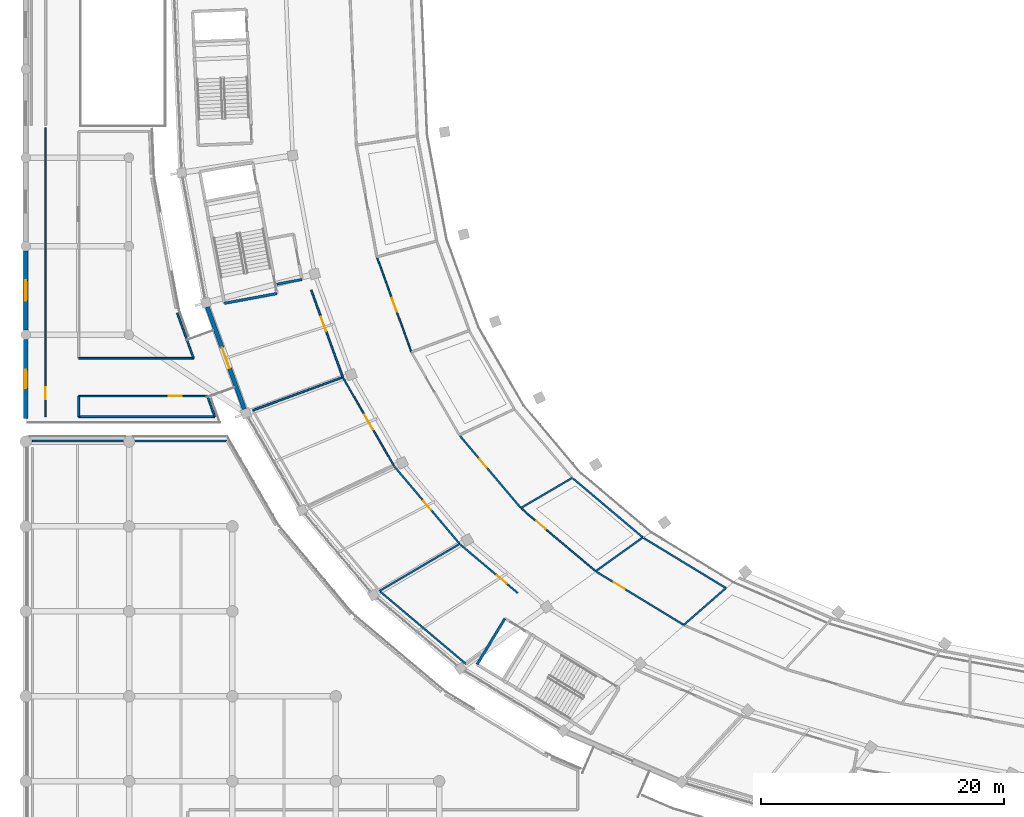
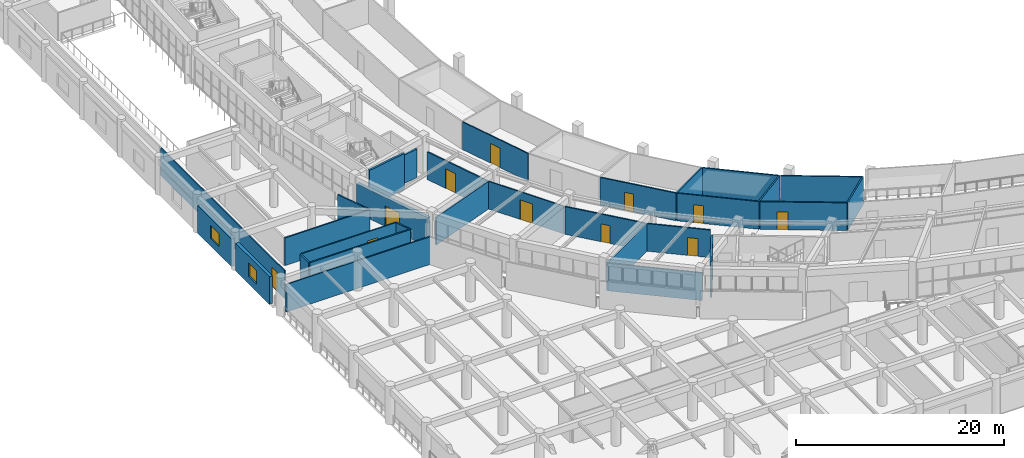
# One storey, part 90 of 141: 30 walls, 11 doors, 2 windows, 13 openings.
"""IFC4 building model written with IfcOpenShell, lengths in metres."""

from ifc_helpers import new_model, si_unit, direction, frame, frame_2d, origin, place, context, subcontext, project, spatial, rectangle, extrude, material, layer, layer_set, type_object, element, fill, save


model = new_model("IFC4")

# Units and contexts
model_context = context("Model", 3, precision=1e-05, world=origin(), true_north=direction((0.0, 1.0)))
body_context = subcontext(model_context, "Body", "Model", "MODEL_VIEW")
ifc_project = project(units=[si_unit("LENGTHUNIT", "METRE"), si_unit("AREAUNIT", "SQUARE_METRE"), si_unit("VOLUMEUNIT", "CUBIC_METRE"), si_unit("PLANEANGLEUNIT", "RADIAN"), si_unit("MASSUNIT", "GRAM", prefix="KILO")], contexts=[model_context])

# Site, building, storey
site_placement = place(None, origin())
site = spatial("IfcSite", under=ifc_project, at=site_placement, CompositionType="ELEMENT")
building_placement = place(site_placement, origin())
building = spatial("IfcBuilding", under=site, at=building_placement, Name="Mphavela Belvedere Stadium", CompositionType="ELEMENT")
storey_placement = place(building_placement, frame((0.0, 0.0, 14.699951171875)))
storey = spatial("IfcBuildingStorey", under=building, at=storey_placement, Name="L03", CompositionType="ELEMENT", Elevation=14.699951171875)

# Walls
ifc_material_1 = material(Name="Concrete C40/50", Category="concrete")
ifc_layer_1 = layer(ifc_material_1, 0.219970703125)
ifc_layer_set_1 = layer_set([ifc_layer_1], Name="Concrete C40/50")
wall_type_1 = type_object("IfcWallType", Name="WAL-CORE-SHEAR-220", PredefinedType="SHEAR", material=ifc_layer_set_1)
for number, where, z_axis, x_axis, name in (
    (1, (20.703857421875, 61.197021484375, 0.0), (0.0, 0.0, 1.0), (-0.983191575486, -0.182576904051, 0.0), "Core C09 shear wall L03 left"),
    (2, (39.497314453125, 34.4033203125, 0.0), (0.0, 0.0, 1.0), (-0.519664162523, -0.854370621095, 0.0), "Core C10 shear wall L03 right"),
):
    element("IfcWall", number, at=place(storey_placement, frame(where, z_axis=z_axis, x_axis=x_axis)), inside=storey, type_object=wall_type_1, Name=name, PredefinedType="SHEAR", context=body_context, shape_type="SweptSolid", body=[
        extrude(rectangle(XDim=4.41015625, YDim=0.219970703125, at=frame_2d((2.205078125, 0.0))), origin(), (0.0, 0.0, 1.0), 4.25),
    ])

# Wall, opening, door
ifc_material_2 = material(Name="Honed ashlar limestone masonry", Category="masonry")
ifc_layer_2 = layer(ifc_material_2, 0.35009765625)
ifc_layer_set_2 = layer_set([ifc_layer_2], Name="Honed ashlar limestone masonry")
wall_type_2 = type_object("IfcWallType", Name="WAL-EXT-ASHLAR-350", PredefinedType="STANDARD", material=ifc_layer_set_2)
wall_1_placement = place(storey_placement, frame((18.0166015625, 51.668212890625, 0.0), z_axis=(0.0, 0.0, 1.0), x_axis=(-0.341014063491, 0.94005819421, 0.0)))
wall_1 = element("IfcWall", 3, at=wall_1_placement, inside=storey, type_object=wall_type_2, Name="Classical link portal wall L03-27", PredefinedType="STANDARD", context=body_context, shape_type="SweptSolid", body=[
    extrude(rectangle(XDim=8.95556640625, YDim=0.35009765625, at=frame_2d((4.477783203125, 0.0))), origin(), (0.0, 0.0, 1.0), 3.420166015625),
])
opening_1_placement = place(wall_1_placement, frame((3.57763671875, 0.0, 0.0)))
opening_1 = element("IfcOpeningElement", 4, at=opening_1_placement, cuts=wall_1, Name="Opening ID-9326", PredefinedType="OPENING", context=body_context, shape_type="SweptSolid", body=[
    extrude(rectangle(XDim=1.800048828125, YDim=2.39990234375, at=frame_2d((0.89990234375, 1.199951171875))), frame((0.0, 0.18505859375, 0.0), z_axis=(0.0, -1.0, 0.0), x_axis=(1.0, 0.0, 0.0)), (0.0, 0.0, 1.0), 0.3701171875),
])
ifc_material_3 = material(Name="Glazed bronze-anodised steel exit doorset", Category="steel")
door_type_1 = type_object("IfcDoorType", Name="DR-EXT-01", OperationType="NOTDEFINED", PredefinedType="DOOR", material=ifc_material_3)
door_1_placement = place(opening_1_placement, origin())
door_1 = element("IfcDoor", 5, at=door_1_placement, inside=storey, type_object=door_type_1, Name="Wing promenade link doorset L03-27", OperationType="DOUBLE_DOOR_SINGLE_SWING", OverallHeight=2.39990234375, OverallWidth=1.800048828125, PredefinedType="DOOR", context=body_context, shape_type="SweptSolid", body=[
    extrude(rectangle(XDim=1.800048828125, YDim=2.39990234375, at=frame_2d((0.89990234375, 1.199951171875))), frame((0.0, 0.02490234375, 0.0), z_axis=(0.0, -1.0, 0.0), x_axis=(1.0, 0.0, 0.0)), (0.0, 0.0, 1.0), 0.050048828125),
])
fill(opening_1, door_1)

# Wall, opening, window
wall_2_placement = place(storey_placement, frame((0.0, 50.89794921875, 0.0), z_axis=(0.0, 0.0, 1.0), x_axis=(0.0, 1.0, 0.0)))
wall_2 = element("IfcWall", 6, at=wall_2_placement, inside=storey, type_object=wall_type_2, Name="West Planted Eaves Peristyle Colonnade outer facade bay L03-01", PredefinedType="STANDARD", context=body_context, shape_type="SweptSolid", body=[
    extrude(rectangle(XDim=6.504150390625, YDim=0.35009765625, at=frame_2d((3.251953125, 0.0))), origin(), (0.0, 0.0, 1.0), 3.260009765625),
])
opening_2_placement = place(wall_2_placement, frame((2.491943359375, 0.0, 0.89990234375)))
opening_2 = element("IfcOpeningElement", 7, at=opening_2_placement, cuts=wall_2, Name="Opening W-268", PredefinedType="OPENING", context=body_context, shape_type="SweptSolid", body=[
    extrude(rectangle(XDim=1.52001953125, YDim=1.550048828125, at=frame_2d((0.760009765625, 0.77490234375))), frame((0.0, 0.18505859375, 0.0), z_axis=(0.0, -1.0, 0.0), x_axis=(1.0, 0.0, 0.0)), (0.0, 0.0, 1.0), 0.3701171875),
])
ifc_material_4 = material(Name="Bronze-anodised thermally broken aluminium window", Category="aluminium")
window_type_1 = type_object("IfcWindowType", Name="WIN-EXT-04", PartitioningType="SINGLE_PANEL", PredefinedType="WINDOW", material=ifc_material_4)
window_1_placement = place(opening_2_placement, origin())
window_1 = element("IfcWindow", 8, at=window_1_placement, inside=storey, type_object=window_type_1, Name="West Planted Eaves Peristyle Colonnade classical window W-268", OverallHeight=1.550048828125, OverallWidth=1.52001953125, PartitioningType="SINGLE_PANEL", PredefinedType="WINDOW", context=body_context, shape_type="SweptSolid", body=[
    extrude(rectangle(XDim=1.52001953125, YDim=1.550048828125, at=frame_2d((0.760009765625, 0.77490234375))), frame((0.0, 0.030029296875, 0.0), z_axis=(0.0, -1.0, 0.0), x_axis=(1.0, 0.0, 0.0)), (0.0, 0.0, 1.0), 0.06005859375),
])
fill(opening_2, window_1)

wall_3_placement = place(storey_placement, frame((0.0, 58.197998046875, 0.0), z_axis=(0.0, 0.0, 1.0), x_axis=(0.0, 1.0, 0.0)))
wall_3 = element("IfcWall", 9, at=wall_3_placement, inside=storey, type_object=wall_type_2, Name="West Planted Eaves Peristyle Colonnade outer facade bay L03-02", PredefinedType="STANDARD", context=body_context, shape_type="SweptSolid", body=[
    extrude(rectangle(XDim=6.50390625, YDim=0.35009765625, at=frame_2d((3.251953125, 0.0))), origin(), (0.0, 0.0, 1.0), 3.260009765625),
])
opening_3_placement = place(wall_3_placement, frame((2.422119140625, 0.0, 0.89990234375)))
opening_3 = element("IfcOpeningElement", 10, at=opening_3_placement, cuts=wall_3, Name="Opening W-269", PredefinedType="OPENING", context=body_context, shape_type="SweptSolid", body=[
    extrude(rectangle(XDim=1.659912109375, YDim=1.550048828125, at=frame_2d((0.830078125, 0.77490234375))), frame((0.0, 0.18505859375, 0.0), z_axis=(0.0, -1.0, 0.0), x_axis=(1.0, 0.0, 0.0)), (0.0, 0.0, 1.0), 0.3701171875),
])
ifc_material_5 = material(Name="Bronze-anodised thermally broken aluminium window", Category="aluminium")
window_type_2 = type_object("IfcWindowType", Name="WIN-EXT-05", PartitioningType="SINGLE_PANEL", PredefinedType="WINDOW", material=ifc_material_5)
window_2_placement = place(opening_3_placement, origin())
window_2 = element("IfcWindow", 11, at=window_2_placement, inside=storey, type_object=window_type_2, Name="West Planted Eaves Peristyle Colonnade classical window W-269", OverallHeight=1.550048828125, OverallWidth=1.659912109375, PartitioningType="SINGLE_PANEL", PredefinedType="WINDOW", context=body_context, shape_type="SweptSolid", body=[
    extrude(rectangle(XDim=1.659912109375, YDim=1.550048828125, at=frame_2d((0.830078125, 0.77490234375))), frame((0.0, 0.030029296875, 0.0), z_axis=(0.0, -1.0, 0.0), x_axis=(1.0, 0.0, 0.0)), (0.0, 0.0, 1.0), 0.06005859375),
])
fill(opening_3, window_2)

# Wall, opening, door
ifc_material_6 = material(Name="Moisture-resistant sanitary partition assembly")
ifc_layer_3 = layer(ifc_material_6, 0.125)
ifc_layer_set_3 = layer_set([ifc_layer_3], Name="Moisture-resistant sanitary partition assembly")
wall_type_3 = type_object("IfcWallType", Name="WAL-PART-125", PredefinedType="PARTITIONING", material=ifc_layer_set_3)
wall_4_placement = place(storey_placement, frame((31.782470703125, 56.384765625, 0.0), z_axis=(0.0, 0.0, 1.0), x_axis=(-0.341044733968, 0.940047067669, 0.0)))
wall_4 = element("IfcWall", 12, at=wall_4_placement, inside=storey, type_object=wall_type_3, Name="Room L03-102 corridor partition", PredefinedType="PARTITIONING", context=body_context, shape_type="SweptSolid", body=[
    extrude(rectangle(XDim=8.25390625, YDim=0.125, at=frame_2d((4.126953125, 0.0))), origin(), (0.0, 0.0, 1.0), 3.25),
])
opening_4_placement = place(wall_4_placement, frame((3.516845703125, 0.0, 0.0)))
opening_4 = element("IfcOpeningElement", 13, at=opening_4_placement, cuts=wall_4, Name="Opening ID-285", PredefinedType="OPENING", context=body_context, shape_type="SweptSolid", body=[
    extrude(rectangle(XDim=1.219970703125, YDim=2.300048828125, at=frame_2d((0.60986328125, 1.14990234375))), frame((0.0, 0.072509765625, 0.0), z_axis=(0.0, -1.0, 0.0), x_axis=(1.0, 0.0, 0.0)), (0.0, 0.0, 1.0), 0.14501953125),
])
ifc_material_7 = material(Name="Hardwood acoustic timber doorset", Category="wood")
door_type_2 = type_object("IfcDoorType", Name="DR-INT-33", OperationType="NOTDEFINED", PredefinedType="DOOR", material=ifc_material_7)
door_2_placement = place(opening_4_placement, origin())
door_2 = element("IfcDoor", 14, at=door_2_placement, inside=storey, type_object=door_type_2, Name="Room L03-102 entrance door ID-285", OperationType="SINGLE_SWING_LEFT", OverallHeight=2.300048828125, OverallWidth=1.219970703125, PredefinedType="DOOR", context=body_context, shape_type="SweptSolid", body=[
    extrude(rectangle(XDim=1.219970703125, YDim=2.300048828125, at=frame_2d((0.60986328125, 1.14990234375))), frame((0.0, 0.02490234375, 0.0), z_axis=(0.0, -1.0, 0.0), x_axis=(1.0, 0.0, 0.0)), (0.0, 0.0, 1.0), 0.050048828125),
])
fill(opening_4, door_2)

wall_5_placement = place(storey_placement, frame((26.1669921875, 54.230712890625, 0.0), z_axis=(0.0, 0.0, 1.0), x_axis=(0.500559280672, -0.865702262059, 0.0)))
wall_5 = element("IfcWall", 15, at=wall_5_placement, inside=storey, type_object=wall_type_3, Name="Room L03-106 corridor partition", PredefinedType="PARTITIONING", context=body_context, shape_type="SweptSolid", body=[
    extrude(rectangle(XDim=8.37451171875, YDim=0.125, at=frame_2d((4.187255859375, 0.0))), origin(), (0.0, 0.0, 1.0), 3.25),
])
opening_5_placement = place(wall_5_placement, frame((3.4873046875, 0.0, 0.0)))
opening_5 = element("IfcOpeningElement", 16, at=opening_5_placement, cuts=wall_5, Name="Opening ID-288", PredefinedType="OPENING", context=body_context, shape_type="SweptSolid", body=[
    extrude(rectangle(XDim=1.39990234375, YDim=2.300048828125, at=frame_2d((0.699951171875, 1.14990234375))), frame((0.0, 0.072509765625, 0.0), z_axis=(0.0, -1.0, 0.0), x_axis=(1.0, 0.0, 0.0)), (0.0, 0.0, 1.0), 0.14501953125),
])
ifc_material_8 = material(Name="Hardwood acoustic timber doorset", Category="wood")
door_type_3 = type_object("IfcDoorType", Name="DR-INT-36", OperationType="NOTDEFINED", PredefinedType="DOOR", material=ifc_material_8)
door_3_placement = place(opening_5_placement, origin())
door_3 = element("IfcDoor", 17, at=door_3_placement, inside=storey, type_object=door_type_3, Name="Room L03-106 entrance door ID-288", OperationType="SINGLE_SWING_RIGHT", OverallHeight=2.300048828125, OverallWidth=1.39990234375, PredefinedType="DOOR", context=body_context, shape_type="SweptSolid", body=[
    extrude(rectangle(XDim=1.39990234375, YDim=2.300048828125, at=frame_2d((0.699951171875, 1.14990234375))), frame((0.0, 0.02490234375, 0.0), z_axis=(0.0, -1.0, 0.0), x_axis=(1.0, 0.0, 0.0)), (0.0, 0.0, 1.0), 0.050048828125),
])
fill(opening_5, door_3)

wall_6_placement = place(storey_placement, frame((46.972900390625, 38.30810546875, 0.0), z_axis=(0.0, 0.0, 1.0), x_axis=(-0.764249122867, 0.644921141068, 0.0)))
wall_6 = element("IfcWall", 18, at=wall_6_placement, inside=storey, type_object=wall_type_3, Name="Room L03-111 corridor partition", PredefinedType="PARTITIONING", context=body_context, shape_type="SweptSolid", body=[
    extrude(rectangle(XDim=7.989501953125, YDim=0.125, at=frame_2d((3.99462890625, 0.0))), origin(), (0.0, 0.0, 1.0), 3.25),
])
opening_6_placement = place(wall_6_placement, frame((5.41552734375, 0.0, 0.0)))
opening_6 = element("IfcOpeningElement", 19, at=opening_6_placement, cuts=wall_6, Name="Opening ID-291", PredefinedType="OPENING", context=body_context, shape_type="SweptSolid", body=[
    extrude(rectangle(XDim=0.97998046875, YDim=2.10009765625, at=frame_2d((0.489990234375, 1.050048828125))), frame((0.0, 0.072509765625, 0.0), z_axis=(0.0, -1.0, 0.0), x_axis=(1.0, 0.0, 0.0)), (0.0, 0.0, 1.0), 0.14501953125),
])
ifc_material_9 = material(Name="Hardwood acoustic timber doorset", Category="wood")
door_type_4 = type_object("IfcDoorType", Name="DR-INT-03", OperationType="NOTDEFINED", PredefinedType="DOOR", material=ifc_material_9)
door_4_placement = place(opening_6_placement, origin())
door_4 = element("IfcDoor", 20, at=door_4_placement, inside=storey, type_object=door_type_4, Name="Room L03-111 entrance door ID-291", OperationType="SINGLE_SWING_LEFT", OverallHeight=2.10009765625, OverallWidth=0.97998046875, PredefinedType="DOOR", context=body_context, shape_type="SweptSolid", body=[
    extrude(rectangle(XDim=0.97998046875, YDim=2.10009765625, at=frame_2d((0.489990234375, 1.050048828125))), frame((0.0, 0.02490234375, 0.0), z_axis=(0.0, -1.0, 0.0), x_axis=(1.0, 0.0, 0.0)), (0.0, 0.0, 1.0), 0.050048828125),
])
fill(opening_6, door_4)

wall_7_placement = place(storey_placement, frame((1.639892578125, 74.88330078125, 0.0), z_axis=(0.0, 0.0, 1.0), x_axis=(0.0, -1.0, 0.0)))
wall_7 = element("IfcWall", 21, at=wall_7_placement, inside=storey, type_object=wall_type_3, Name="Room L03-193 corridor partition", PredefinedType="PARTITIONING", context=body_context, shape_type="SweptSolid", body=[
    extrude(rectangle(XDim=23.833251953125, YDim=0.125, at=frame_2d((11.91650390625, 0.0))), origin(), (0.0, 0.0, 1.0), 3.25),
])
opening_7_placement = place(wall_7_placement, frame((21.422607421875, 0.0, 0.0)))
opening_7 = element("IfcOpeningElement", 22, at=opening_7_placement, cuts=wall_7, Name="Opening ID-519", PredefinedType="OPENING", context=body_context, shape_type="SweptSolid", body=[
    extrude(rectangle(XDim=0.97998046875, YDim=2.199951171875, at=frame_2d((0.489990234375, 1.10009765625))), frame((0.0, 0.072509765625, 0.0), z_axis=(0.0, -1.0, 0.0), x_axis=(1.0, 0.0, 0.0)), (0.0, 0.0, 1.0), 0.14501953125),
])
ifc_material_10 = material(Name="Hardwood acoustic timber doorset", Category="wood")
door_type_5 = type_object("IfcDoorType", Name="DR-INT-15", OperationType="NOTDEFINED", PredefinedType="DOOR", material=ifc_material_10)
door_5_placement = place(opening_7_placement, origin())
door_5 = element("IfcDoor", 23, at=door_5_placement, inside=storey, type_object=door_type_5, Name="Room L03-193 entrance door ID-519", OperationType="SINGLE_SWING_LEFT", OverallHeight=2.199951171875, OverallWidth=0.97998046875, PredefinedType="DOOR", context=body_context, shape_type="SweptSolid", body=[
    extrude(rectangle(XDim=0.97998046875, YDim=2.199951171875, at=frame_2d((0.489990234375, 1.10009765625))), frame((0.0, 0.02490234375, 0.0), z_axis=(0.0, -1.0, 0.0), x_axis=(1.0, 0.0, 0.0)), (0.0, 0.0, 1.0), 0.050048828125),
])
fill(opening_7, door_5)

wall_8_placement = place(storey_placement, frame((4.360107421875, 52.739990234375, 0.0), z_axis=(0.0, 0.0, 1.0), x_axis=(1.0, 0.0, 0.0)))
wall_8 = element("IfcWall", 24, at=wall_8_placement, inside=storey, type_object=wall_type_3, Name="Room L03-196 corridor partition", PredefinedType="PARTITIONING", context=body_context, shape_type="SweptSolid", body=[
    extrude(rectangle(XDim=10.6083984375, YDim=0.125, at=frame_2d((5.30419921875, 0.0))), origin(), (0.0, 0.0, 1.0), 3.25),
])
opening_8_placement = place(wall_8_placement, frame((7.414794921875, 0.0, 0.0)))
opening_8 = element("IfcOpeningElement", 25, at=opening_8_placement, cuts=wall_8, Name="Opening ID-522", PredefinedType="OPENING", context=body_context, shape_type="SweptSolid", body=[
    extrude(rectangle(XDim=1.10009765625, YDim=2.199951171875, at=frame_2d((0.550048828125, 1.10009765625))), frame((0.0, 0.072509765625, 0.0), z_axis=(0.0, -1.0, 0.0), x_axis=(1.0, 0.0, 0.0)), (0.0, 0.0, 1.0), 0.14501953125),
])
ifc_material_11 = material(Name="Hardwood acoustic timber doorset", Category="wood")
door_type_6 = type_object("IfcDoorType", Name="DR-INT-18", OperationType="NOTDEFINED", PredefinedType="DOOR", material=ifc_material_11)
door_6_placement = place(opening_8_placement, origin())
door_6 = element("IfcDoor", 26, at=door_6_placement, inside=storey, type_object=door_type_6, Name="Room L03-196 entrance door ID-522", OperationType="SINGLE_SWING_RIGHT", OverallHeight=2.199951171875, OverallWidth=1.10009765625, PredefinedType="DOOR", context=body_context, shape_type="SweptSolid", body=[
    extrude(rectangle(XDim=1.10009765625, YDim=2.199951171875, at=frame_2d((0.550048828125, 1.10009765625))), frame((0.0, 0.02490234375, 0.0), z_axis=(0.0, -1.0, 0.0), x_axis=(1.0, 0.0, 0.0)), (0.0, 0.0, 1.0), 0.050048828125),
])
fill(opening_8, door_6)

ifc_material_12 = material(Name="Acoustic gypsum stud partition assembly")
ifc_layer_4 = layer(ifc_material_12, 0.14990234375)
ifc_layer_set_4 = layer_set([ifc_layer_4], Name="Acoustic gypsum stud partition assembly")
wall_type_4 = type_object("IfcWallType", Name="WAL-PART-150", PredefinedType="PARTITIONING", material=ifc_layer_set_4)
wall_9_placement = place(storey_placement, frame((23.531005859375, 61.47802734375, 0.0), z_axis=(0.0, 0.0, 1.0), x_axis=(0.341013494536, -0.940058400603, 0.0)))
wall_9 = element("IfcWall", 27, at=wall_9_placement, inside=storey, type_object=wall_type_4, Name="Room L03-103 corridor partition", PredefinedType="PARTITIONING", context=body_context, shape_type="SweptSolid", body=[
    extrude(rectangle(XDim=7.6318359375, YDim=0.14990234375, at=frame_2d((3.81591796875, 0.0))), origin(), (0.0, 0.0, 1.0), 3.25),
])
opening_9_placement = place(wall_9_placement, frame((2.326171875, 0.0, 0.0)))
opening_9 = element("IfcOpeningElement", 28, at=opening_9_placement, cuts=wall_9, Name="Opening ID-286", PredefinedType="OPENING", context=body_context, shape_type="SweptSolid", body=[
    extrude(rectangle(XDim=1.260009765625, YDim=2.300048828125, at=frame_2d((0.6298828125, 1.14990234375))), frame((0.0, 0.0849609375, 0.0), z_axis=(0.0, -1.0, 0.0), x_axis=(1.0, 0.0, 0.0)), (0.0, 0.0, 1.0), 0.169921875),
])
ifc_material_13 = material(Name="Hardwood acoustic timber doorset", Category="wood")
door_type_7 = type_object("IfcDoorType", Name="DR-INT-34", OperationType="NOTDEFINED", PredefinedType="DOOR", material=ifc_material_13)
door_7_placement = place(opening_9_placement, origin())
door_7 = element("IfcDoor", 29, at=door_7_placement, inside=storey, type_object=door_type_7, Name="Room L03-103 entrance door ID-286", OperationType="SINGLE_SWING_RIGHT", OverallHeight=2.300048828125, OverallWidth=1.260009765625, PredefinedType="DOOR", context=body_context, shape_type="SweptSolid", body=[
    extrude(rectangle(XDim=1.260009765625, YDim=2.300048828125, at=frame_2d((0.6298828125, 1.14990234375))), frame((0.0, 0.02490234375, 0.0), z_axis=(0.0, -1.0, 0.0), x_axis=(1.0, 0.0, 0.0)), (0.0, 0.0, 1.0), 0.050048828125),
])
fill(opening_9, door_7)

wall_10_placement = place(storey_placement, frame((40.806884765625, 43.518310546875, 0.0), z_axis=(0.0, 0.0, 1.0), x_axis=(-0.645180817826, 0.764029915847, 0.0)))
wall_10 = element("IfcWall", 30, at=wall_10_placement, inside=storey, type_object=wall_type_4, Name="Room L03-108 corridor partition", PredefinedType="PARTITIONING", context=body_context, shape_type="SweptSolid", body=[
    extrude(rectangle(XDim=7.779296875, YDim=0.14990234375, at=frame_2d((3.8896484375, 0.0))), origin(), (0.0, 0.0, 1.0), 3.25),
])
opening_10_placement = place(wall_10_placement, frame((4.37548828125, 0.0, 0.0)))
opening_10 = element("IfcOpeningElement", 31, at=opening_10_placement, cuts=wall_10, Name="Opening ID-289", PredefinedType="OPENING", context=body_context, shape_type="SweptSolid", body=[
    extrude(rectangle(XDim=0.89990234375, YDim=2.10009765625, at=frame_2d((0.449951171875, 1.050048828125))), frame((0.0, 0.0849609375, 0.0), z_axis=(0.0, -1.0, 0.0), x_axis=(1.0, 0.0, 0.0)), (0.0, 0.0, 1.0), 0.169921875),
])
ifc_material_14 = material(Name="Hardwood acoustic timber doorset", Category="wood")
door_type_8 = type_object("IfcDoorType", Name="DR-INT-01", OperationType="NOTDEFINED", PredefinedType="DOOR", material=ifc_material_14)
door_8_placement = place(opening_10_placement, origin())
door_8 = element("IfcDoor", 32, at=door_8_placement, inside=storey, type_object=door_type_8, Name="Room L03-108 entrance door ID-289", OperationType="SINGLE_SWING_LEFT", OverallHeight=2.10009765625, OverallWidth=0.89990234375, PredefinedType="DOOR", context=body_context, shape_type="SweptSolid", body=[
    extrude(rectangle(XDim=0.89990234375, YDim=2.10009765625, at=frame_2d((0.449951171875, 1.050048828125))), frame((0.0, 0.02490234375, 0.0), z_axis=(0.0, -1.0, 0.0), x_axis=(1.0, 0.0, 0.0)), (0.0, 0.0, 1.0), 0.050048828125),
])
fill(opening_10, door_8)

wall_11_placement = place(storey_placement, frame((30.40478515625, 46.9140625, 0.0), z_axis=(0.0, 0.0, 1.0), x_axis=(0.64516519871, -0.76404310505, 0.0)))
wall_11 = element("IfcWall", 33, at=wall_11_placement, inside=storey, type_object=wall_type_4, Name="Room L03-109 corridor partition", PredefinedType="PARTITIONING", context=body_context, shape_type="SweptSolid", body=[
    extrude(rectangle(XDim=8.3134765625, YDim=0.14990234375, at=frame_2d((4.15673828125, 0.0))), origin(), (0.0, 0.0, 1.0), 3.25),
])
opening_11_placement = place(wall_11_placement, frame((3.686767578125, 0.0, 0.0)))
opening_11 = element("IfcOpeningElement", 34, at=opening_11_placement, cuts=wall_11, Name="Opening ID-290", PredefinedType="OPENING", context=body_context, shape_type="SweptSolid", body=[
    extrude(rectangle(XDim=0.93994140625, YDim=2.10009765625, at=frame_2d((0.469970703125, 1.050048828125))), frame((0.0, 0.0849609375, 0.0), z_axis=(0.0, -1.0, 0.0), x_axis=(1.0, 0.0, 0.0)), (0.0, 0.0, 1.0), 0.169921875),
])
ifc_material_15 = material(Name="Hardwood acoustic timber doorset", Category="wood")
door_type_9 = type_object("IfcDoorType", Name="DR-INT-02", OperationType="NOTDEFINED", PredefinedType="DOOR", material=ifc_material_15)
door_9_placement = place(opening_11_placement, origin())
door_9 = element("IfcDoor", 35, at=door_9_placement, inside=storey, type_object=door_type_9, Name="Room L03-109 entrance door ID-290", OperationType="SINGLE_SWING_RIGHT", OverallHeight=2.10009765625, OverallWidth=0.93994140625, PredefinedType="DOOR", context=body_context, shape_type="SweptSolid", body=[
    extrude(rectangle(XDim=0.93994140625, YDim=2.10009765625, at=frame_2d((0.469970703125, 1.050048828125))), frame((0.0, 0.02490234375, 0.0), z_axis=(0.0, -1.0, 0.0), x_axis=(1.0, 0.0, 0.0)), (0.0, 0.0, 1.0), 0.050048828125),
])
fill(opening_11, door_9)

wall_12_placement = place(storey_placement, frame((35.8251953125, 40.5029296875, 0.0), z_axis=(0.0, 0.0, 1.0), x_axis=(0.764269616674, -0.644896854565, 0.0)))
wall_12 = element("IfcWall", 36, at=wall_12_placement, inside=storey, type_object=wall_type_4, Name="Room L03-112 corridor partition", PredefinedType="PARTITIONING", context=body_context, shape_type="SweptSolid", body=[
    extrude(rectangle(XDim=6.19091796875, YDim=0.14990234375, at=frame_2d((3.095458984375, 0.0))), origin(), (0.0, 0.0, 1.0), 3.25),
])
opening_12_placement = place(wall_12_placement, frame((3.944580078125, 0.0, 0.0)))
opening_12 = element("IfcOpeningElement", 37, at=opening_12_placement, cuts=wall_12, Name="Opening ID-292", PredefinedType="OPENING", context=body_context, shape_type="SweptSolid", body=[
    extrude(rectangle(XDim=1.02001953125, YDim=2.10009765625, at=frame_2d((0.510009765625, 1.050048828125))), frame((0.0, 0.0849609375, 0.0), z_axis=(0.0, -1.0, 0.0), x_axis=(1.0, 0.0, 0.0)), (0.0, 0.0, 1.0), 0.169921875),
])
ifc_material_16 = material(Name="Hardwood acoustic timber doorset", Category="wood")
door_type_10 = type_object("IfcDoorType", Name="DR-INT-04", OperationType="NOTDEFINED", PredefinedType="DOOR", material=ifc_material_16)
door_10_placement = place(opening_12_placement, origin())
door_10 = element("IfcDoor", 38, at=door_10_placement, inside=storey, type_object=door_type_10, Name="Room L03-112 entrance door ID-292", OperationType="SINGLE_SWING_RIGHT", OverallHeight=2.10009765625, OverallWidth=1.02001953125, PredefinedType="DOOR", context=body_context, shape_type="SweptSolid", body=[
    extrude(rectangle(XDim=1.02001953125, YDim=2.10009765625, at=frame_2d((0.510009765625, 1.050048828125))), frame((0.0, 0.02490234375, 0.0), z_axis=(0.0, -1.0, 0.0), x_axis=(1.0, 0.0, 0.0)), (0.0, 0.0, 1.0), 0.050048828125),
])
fill(opening_12, door_10)

wall_13_placement = place(storey_placement, frame((54.237060546875, 33.884033203125, 0.0), z_axis=(0.0, 0.0, 1.0), x_axis=(-0.854330104408, 0.519730769439, 0.0)))
wall_13 = element("IfcWall", 39, at=wall_13_placement, inside=storey, type_object=wall_type_4, Name="Room L03-114 corridor partition", PredefinedType="PARTITIONING", context=body_context, shape_type="SweptSolid", body=[
    extrude(rectangle(XDim=8.420166015625, YDim=0.14990234375, at=frame_2d((4.2099609375, 0.0))), origin(), (0.0, 0.0, 1.0), 3.25),
])
opening_13_placement = place(wall_13_placement, frame((5.696044921875, 0.0, 0.0)))
opening_13 = element("IfcOpeningElement", 40, at=opening_13_placement, cuts=wall_13, Name="Opening ID-293", PredefinedType="OPENING", context=body_context, shape_type="SweptSolid", body=[
    extrude(rectangle(XDim=1.06005859375, YDim=2.10009765625, at=frame_2d((0.530029296875, 1.050048828125))), frame((0.0, 0.0849609375, 0.0), z_axis=(0.0, -1.0, 0.0), x_axis=(1.0, 0.0, 0.0)), (0.0, 0.0, 1.0), 0.169921875),
])
ifc_material_17 = material(Name="Hardwood acoustic timber doorset", Category="wood")
door_type_11 = type_object("IfcDoorType", Name="DR-INT-05", OperationType="NOTDEFINED", PredefinedType="DOOR", material=ifc_material_17)
door_11_placement = place(opening_13_placement, origin())
door_11 = element("IfcDoor", 41, at=door_11_placement, inside=storey, type_object=door_type_11, Name="Room L03-114 entrance door ID-293", OperationType="SINGLE_SWING_LEFT", OverallHeight=2.10009765625, OverallWidth=1.06005859375, PredefinedType="DOOR", context=body_context, shape_type="SweptSolid", body=[
    extrude(rectangle(XDim=1.06005859375, YDim=2.10009765625, at=frame_2d((0.530029296875, 1.050048828125))), frame((0.0, 0.02490234375, 0.0), z_axis=(0.0, -1.0, 0.0), x_axis=(1.0, 0.0, 0.0)), (0.0, 0.0, 1.0), 0.050048828125),
])
fill(opening_13, door_11)

# Walls
wall_14_placement = place(storey_placement, frame((26.133544921875, 54.3037109375, 0.0), z_axis=(0.0, 0.0, 1.0), x_axis=(-0.938346807893, -0.345695340028, 0.0)))
element("IfcWall", 42, at=wall_14_placement, inside=storey, type_object=wall_type_4, Name="Room divider partition L03-0515", PredefinedType="PARTITIONING", context=body_context, shape_type="SweptSolid", body=[
    extrude(rectangle(XDim=7.90478515625, YDim=0.14990234375, at=frame_2d((3.952392578125, 0.0))), origin(), (0.0, 0.0, 1.0), 3.25),
])
wall_15_placement = place(storey_placement, frame((45.0537109375, 46.010009765625, 0.0), z_axis=(0.0, 0.0, 1.0), x_axis=(-0.862504707072, -0.506049039401, 0.0)))
element("IfcWall", 43, at=wall_15_placement, inside=storey, type_object=wall_type_4, Name="Room divider partition L03-0521", PredefinedType="PARTITIONING", context=body_context, shape_type="SweptSolid", body=[
    extrude(rectangle(XDim=4.923828125, YDim=0.14990234375, at=frame_2d((2.4619140625, 0.0))), origin(), (0.0, 0.0, 1.0), 3.25),
])
wall_16_placement = place(storey_placement, frame((35.768310546875, 40.562255859375, 0.0), z_axis=(0.0, 0.0, 1.0), x_axis=(-0.862520085009, -0.506022828492, 0.0)))
element("IfcWall", 44, at=wall_16_placement, inside=storey, type_object=wall_type_4, Name="Room divider partition L03-0522", PredefinedType="PARTITIONING", context=body_context, shape_type="SweptSolid", body=[
    extrude(rectangle(XDim=7.66259765625, YDim=0.14990234375, at=frame_2d((3.831298828125, 0.0))), origin(), (0.0, 0.0, 1.0), 3.25),
])
wall_17_placement = place(storey_placement, frame((45.110595703125, 45.95068359375, 0.0), z_axis=(0.0, 0.0, 1.0), x_axis=(0.764259013583, -0.644909420118, 0.0)))
element("IfcWall", 45, at=wall_17_placement, inside=storey, type_object=wall_type_4, Name="Room divider partition L03-0524", PredefinedType="PARTITIONING", context=body_context, shape_type="SweptSolid", body=[
    extrude(rectangle(XDim=7.52783203125, YDim=0.14990234375, at=frame_2d((3.763916015625, 0.0))), origin(), (0.0, 0.0, 1.0), 3.25),
])
wall_18_placement = place(storey_placement, frame((50.86376953125, 41.095947265625, 0.0), z_axis=(0.0, 0.0, 1.0), x_axis=(-0.812877901281, -0.582434131563, 0.0)))
element("IfcWall", 46, at=wall_18_placement, inside=storey, type_object=wall_type_4, Name="Room divider partition L03-0525", PredefinedType="PARTITIONING", context=body_context, shape_type="SweptSolid", body=[
    extrude(rectangle(XDim=4.78662109375, YDim=0.14990234375, at=frame_2d((2.393310546875, 0.0))), origin(), (0.0, 0.0, 1.0), 3.25),
])
wall_19_placement = place(storey_placement, frame((36.29443359375, 30.656982421875, 0.0), z_axis=(0.0, 0.0, 1.0), x_axis=(-0.764252893528, 0.644916672706, 0.0)))
element("IfcWall", 47, at=wall_19_placement, inside=storey, type_object=wall_type_4, Name="Room divider partition L03-0527", PredefinedType="PARTITIONING", context=body_context, shape_type="SweptSolid", body=[
    extrude(rectangle(XDim=9.25732421875, YDim=0.14990234375, at=frame_2d((4.628662109375, 0.0))), origin(), (0.0, 0.0, 1.0), 3.25),
])
wall_20_placement = place(storey_placement, frame((50.9306640625, 41.04541015625, 0.0), z_axis=(0.0, 0.0, 1.0), x_axis=(0.854324504961, -0.519739973663, 0.0)))
element("IfcWall", 48, at=wall_20_placement, inside=storey, type_object=wall_type_4, Name="Room divider partition L03-0528", PredefinedType="PARTITIONING", context=body_context, shape_type="SweptSolid", body=[
    extrude(rectangle(XDim=7.933837890625, YDim=0.14990234375, at=frame_2d((3.966796875, 0.0))), origin(), (0.0, 0.0, 1.0), 3.25),
])
wall_21_placement = place(storey_placement, frame((57.708740234375, 36.921875, 0.0), z_axis=(0.0, 0.0, 1.0), x_axis=(-0.75256358092, -0.658519594753, 0.0)))
element("IfcWall", 49, at=wall_21_placement, inside=storey, type_object=wall_type_4, Name="Room divider partition L03-0529", PredefinedType="PARTITIONING", context=body_context, shape_type="SweptSolid", body=[
    extrude(rectangle(XDim=4.613037109375, YDim=0.14990234375, at=frame_2d((2.306640625, 0.0))), origin(), (0.0, 0.0, 1.0), 3.25),
])
wall_22_placement = place(storey_placement, frame((0.550048828125, 49.050048828125, 0.0), z_axis=(0.0, 0.0, 1.0), x_axis=(1.0, 0.0, 0.0)))
element("IfcWall", 50, at=wall_22_placement, inside=storey, type_object=wall_type_4, Name="Room divider partition L03-0802", PredefinedType="PARTITIONING", context=body_context, shape_type="SweptSolid", body=[
    extrude(rectangle(XDim=16.017333984375, YDim=0.14990234375, at=frame_2d((8.0087890625, 0.0))), origin(), (0.0, 0.0, 1.0), 3.25),
])
wall_23_placement = place(storey_placement, frame((14.968505859375, 52.739990234375, 0.0), z_axis=(0.0, 0.0, 1.0), x_axis=(0.341012375502, -0.940058806541, 0.0)))
element("IfcWall", 51, at=wall_23_placement, inside=storey, type_object=wall_type_4, Name="Room divider partition L03-1185", PredefinedType="PARTITIONING", context=body_context, shape_type="SweptSolid", body=[
    extrude(rectangle(XDim=1.797607421875, YDim=0.14990234375, at=frame_2d((0.89892578125, 0.0))), origin(), (0.0, 0.0, 1.0), 3.25),
])
wall_24_placement = place(storey_placement, frame((15.58154296875, 51.050048828125, 0.0), z_axis=(0.0, 0.0, 1.0), x_axis=(-1.0, 0.0, 0.0)))
element("IfcWall", 52, at=wall_24_placement, inside=storey, type_object=wall_type_4, Name="Room divider partition L03-1186", PredefinedType="PARTITIONING", context=body_context, shape_type="SweptSolid", body=[
    extrude(rectangle(XDim=11.221435546875, YDim=0.14990234375, at=frame_2d((5.61083984375, 0.0))), origin(), (0.0, 0.0, 1.0), 3.25),
])
wall_25_placement = place(storey_placement, frame((4.360107421875, 51.050048828125, 0.0), z_axis=(0.0, 0.0, 1.0), x_axis=(0.0, 1.0, 0.0)))
element("IfcWall", 53, at=wall_25_placement, inside=storey, type_object=wall_type_4, Name="Room divider partition L03-1187", PredefinedType="PARTITIONING", context=body_context, shape_type="SweptSolid", body=[
    extrude(rectangle(XDim=1.68994140625, YDim=0.14990234375, at=frame_2d((0.844970703125, 0.0))), origin(), (0.0, 0.0, 1.0), 3.25),
])
wall_26_placement = place(storey_placement, frame((12.4853515625, 59.5849609375, 0.0), z_axis=(0.0, 0.0, 1.0), x_axis=(0.341035525383, -0.94005040845, 0.0)))
element("IfcWall", 54, at=wall_26_placement, inside=storey, type_object=wall_type_4, Name="Room divider partition L03-1189", PredefinedType="PARTITIONING", context=body_context, shape_type="SweptSolid", body=[
    extrude(rectangle(XDim=3.96240234375, YDim=0.14990234375, at=frame_2d((1.981201171875, 0.0))), origin(), (0.0, 0.0, 1.0), 3.25),
])
wall_27_placement = place(storey_placement, frame((13.836669921875, 55.860107421875, 0.0), z_axis=(0.0, 0.0, 1.0), x_axis=(-1.0, 0.0, 0.0)))
element("IfcWall", 55, at=wall_27_placement, inside=storey, type_object=wall_type_4, Name="Room divider partition L03-1190", PredefinedType="PARTITIONING", context=body_context, shape_type="SweptSolid", body=[
    extrude(rectangle(XDim=9.4765625, YDim=0.14990234375, at=frame_2d((4.73828125, 0.0))), origin(), (0.0, 0.0, 1.0), 3.25),
])
ifc_material_18 = material(Name="Fire-rated calcium silicate partition assembly")
ifc_layer_5 = layer(ifc_material_18, 0.199951171875)
ifc_layer_set_5 = layer_set([ifc_layer_5], Name="Fire-rated calcium silicate partition assembly")
wall_type_5 = type_object("IfcWallType", Name="WAL-PART-FF-200", PredefinedType="PARTITIONING", material=ifc_layer_set_5)
wall_28_placement = place(storey_placement, frame((22.7724609375, 62.354248046875, 0.0), z_axis=(0.0, 0.0, 1.0), x_axis=(-0.983181056789, -0.18263353901, 0.0)))
element("IfcWall", 56, at=wall_28_placement, inside=storey, type_object=wall_type_5, Name="Firefighting lobby side wall L C09 L03", PredefinedType="PARTITIONING", context=body_context, shape_type="SweptSolid", body=[
    extrude(rectangle(XDim=2.1201171875, YDim=0.199951171875, at=frame_2d((1.06005859375, 0.0))), origin(), (0.0, 0.0, 1.0), 3.35009765625),
])

save(model, "model.ifc")
